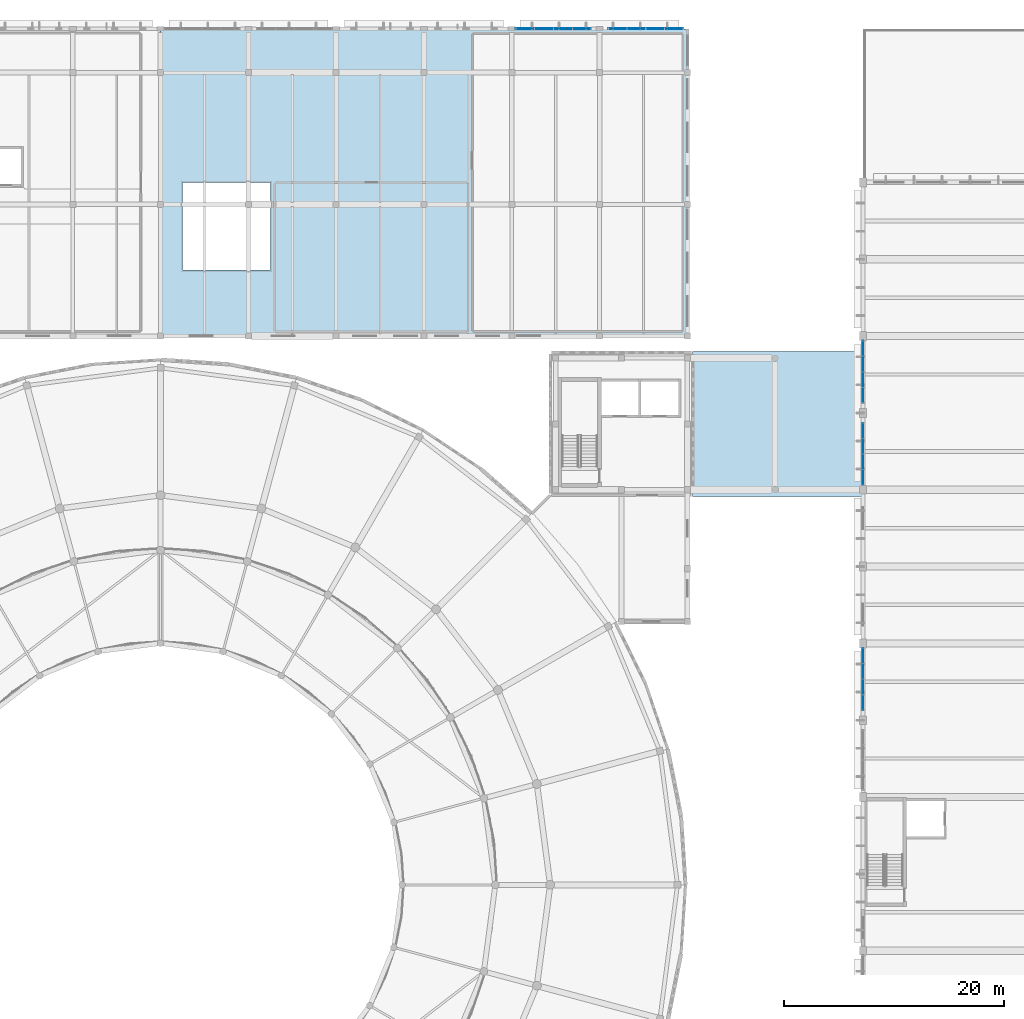
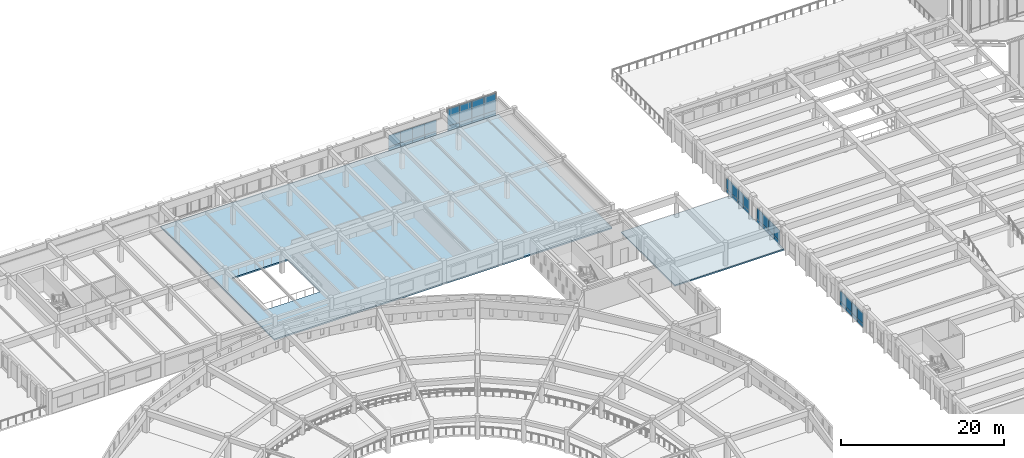
# One storey, part 76 of 155: 40 plates, 2 slabs, 5 elements without a shape of their own.
"""IFC4 building model written with IfcOpenShell, lengths in metres."""

import ifcopenshell
import ifcopenshell.guid

model = None  # the IFC model being written
_history = None  # IfcOwnerHistory: only IFC2X3 demands one
_inside = {}  # id of a spatial element -> (the spatial element, [elements in it])
_under = {}  # id of a project, library or spatial element -> (it, [spatial elements below it])
_declared = {}  # id of a project -> (the project, [libraries it declares])
_typed = {}  # id of a type object -> (the type object, [elements of that type])
_made_of = {}  # id of a material, layer set ... -> (it, [elements and type objects made of it])


def new_model(schema):
    """Start an empty IFC model of exactly this schema.

    Asked for "IFC4X3", IfcOpenShell would pick the latest addendum, in which some entities
    have other attributes; the version numbers below select the first issue.
    IFC2X3 requires an IfcOwnerHistory on every rooted entity: one is made here for all.
    """
    global model, _history
    if schema == "IFC4X3":
        model = ifcopenshell.file(schema_version=(4, 3, 0, 0))
    else:
        model = ifcopenshell.file(schema=schema)
    _inside.clear()
    _under.clear()
    _declared.clear()
    _typed.clear()
    _made_of.clear()
    _history = None
    if model.schema == "IFC2X3":
        org = make("IfcOrganization", Name="unknown")
        user = make(
            "IfcPersonAndOrganization",
            ThePerson=make("IfcPerson", FamilyName="unknown"),
            TheOrganization=org,
        )
        app = make(
            "IfcApplication",
            ApplicationDeveloper=org,
            Version="unknown",
            ApplicationFullName="unknown",
            ApplicationIdentifier="unknown",
        )
        _history = make(
            "IfcOwnerHistory",
            OwningUser=user,
            OwningApplication=app,
            ChangeAction="ADDED",
            CreationDate=0,
        )
    return model


def make(cls, **values):
    """One entity of the class cls with the attributes given. An attribute that is None is left unset."""
    return model.create_entity(
        cls, **{name: value for name, value in values.items() if value is not None}
    )


def rooted(cls, **values):
    """An entity with a GlobalId (a new one), such as an element, a storey or a relation."""
    return make(cls, GlobalId=ifcopenshell.guid.new(), OwnerHistory=_history, **values)


def si_unit(unit_type, name, prefix=None):
    """IfcSIUnit, for example si_unit("LENGTHUNIT", "METRE", prefix="MILLI")."""
    return make("IfcSIUnit", UnitType=unit_type, Prefix=prefix, Name=name)


def assignment(units):
    """IfcUnitAssignment: the units of a project."""
    return None if units is None else make("IfcUnitAssignment", Units=units)


def point(xyz):
    """IfcCartesianPoint."""
    return None if xyz is None else make("IfcCartesianPoint", Coordinates=xyz)


def direction(xyz):
    """IfcDirection."""
    return None if xyz is None else make("IfcDirection", DirectionRatios=xyz)


def frame(location, z_axis=None, x_axis=None):
    """IfcAxis2Placement3D, a coordinate frame: its origin and axes. An axis left out is left unset."""
    return make(
        "IfcAxis2Placement3D",
        Location=point(location),
        Axis=direction(z_axis),
        RefDirection=direction(x_axis),
    )


def frame_2d(location, x_axis=None):
    """IfcAxis2Placement2D, a coordinate frame in the plane: its origin and x axis."""
    return make(
        "IfcAxis2Placement2D", Location=point(location), RefDirection=direction(x_axis)
    )


def origin():
    """The frame at (0, 0, 0) with its axes left unset."""
    return frame((0.0, 0.0, 0.0))


def origin_2d():
    """The frame at (0, 0) in the plane with its x axis left unset."""
    return frame_2d((0.0, 0.0))


def place(relative_to, where):
    """IfcLocalPlacement: puts the frame where relative to a parent placement (None: the world)."""
    return make(
        "IfcLocalPlacement", PlacementRelTo=relative_to, RelativePlacement=where
    )


def context(
    kind, dimensions, precision=None, world=None, true_north=None, identifier=None
):
    """IfcGeometricRepresentationContext, for example the 3D "Model" context."""
    return make(
        "IfcGeometricRepresentationContext",
        ContextIdentifier=identifier,
        ContextType=kind,
        CoordinateSpaceDimension=dimensions,
        Precision=precision,
        WorldCoordinateSystem=world,
        TrueNorth=true_north,
    )


def subcontext(parent, identifier, kind, view, scale=None):
    """IfcGeometricRepresentationSubContext, for example "Body" below "Model"."""
    return make(
        "IfcGeometricRepresentationSubContext",
        ContextIdentifier=identifier,
        ContextType=kind,
        ParentContext=parent,
        TargetScale=scale,
        TargetView=view,
    )


def project(units=None, contexts=None):
    """IfcProject with its units and contexts."""
    return rooted(
        "IfcProject",
        Name="project",
        RepresentationContexts=contexts,
        UnitsInContext=assignment(units),
    )


def spatial(cls, under=None, at=None, **own):
    """A site, building, storey or space (cls), placed at a placement, below another one or the project."""
    s = rooted(cls, ObjectPlacement=at, **own)
    if under is not None:
        _under.setdefault(under.id(), (under, []))[1].append(s)
    return s


def polyline(points):
    """IfcPolyline through the points."""
    return make("IfcPolyline", Points=[point(p) for p in points])


def profile(cls, at=None, kind="AREA", **sizes):
    """A parametric profile (cls). Its sizes go by their IFC names, for example OverallWidth=200.0."""
    return make(cls, ProfileType=kind, Position=at, **sizes)


def rectangle(**sizes):
    """IfcRectangleProfileDef."""
    return profile("IfcRectangleProfileDef", **sizes)


def outline(outer, holes=None, kind="AREA"):
    """IfcArbitraryClosedProfileDef: a profile drawn as a closed curve; with holes, ...WithVoids."""
    if holes is None:
        return make("IfcArbitraryClosedProfileDef", ProfileType=kind, OuterCurve=outer)
    return make(
        "IfcArbitraryProfileDefWithVoids",
        ProfileType=kind,
        OuterCurve=outer,
        InnerCurves=holes,
    )


def extrude(swept, where, along, depth):
    """IfcExtrudedAreaSolid: the profile swept, set in the frame where, extruded along a direction by depth."""
    return make(
        "IfcExtrudedAreaSolid",
        SweptArea=swept,
        Position=where,
        ExtrudedDirection=direction(along),
        Depth=depth,
    )


def shape(context_of_items, identifier, shape_type, items):
    """IfcShapeRepresentation: the items that make up one representation, for example the "Body"."""
    return make(
        "IfcShapeRepresentation",
        ContextOfItems=context_of_items,
        RepresentationIdentifier=identifier,
        RepresentationType=shape_type,
        Items=items,
    )


def material(Name=None, Category=None):
    """IfcMaterial."""
    return make("IfcMaterial", Name=Name, Category=Category)


def layer(
    of_material, thickness, ventilated=None, Name=None, Category=None, Priority=None
):
    """IfcMaterialLayer: one layer of a wall or slab, of a material (None: an air gap)."""
    return make(
        "IfcMaterialLayer",
        Material=of_material,
        LayerThickness=thickness,
        IsVentilated=ventilated,
        Name=Name,
        Category=Category,
        Priority=Priority,
    )


def layer_set(layers, Name=None):
    """IfcMaterialLayerSet."""
    return make("IfcMaterialLayerSet", MaterialLayers=layers, LayerSetName=Name)


def made_of(thing, what):
    """Note that an element or type object is made of a material, layer set ...; save() writes the relation."""
    if what is not None:
        _made_of.setdefault(what.id(), (what, []))[1].append(thing)
    return thing


def type_object(cls, material=None, **own):
    """A type object (cls), such as IfcWallType, which elements share."""
    return made_of(rooted(cls, **own), material)


def element(
    cls,
    number,
    at=None,
    inside=None,
    cuts=None,
    type_object=None,
    material=None,
    context=None,
    identifier="Body",
    shape_type=None,
    held_by="IfcProductDefinitionShape",
    body=None,
    shapes=None,
    **own,
):
    """One element of the class cls, such as IfcWall. Its Tag is "e" and its number.

    at: its placement. inside: the storey or other place that contains it. cuts: it is an
    opening in that element (IfcRelVoidsElement). A single representation is given by context,
    identifier, shape_type and body (its items); several are given by shapes. held_by: the class
    of the entity that holds the representations. save() writes the other relations.
    """
    e = rooted(cls, Tag="e%d" % number, ObjectPlacement=at, **own)
    if body is not None:
        shapes = [shape(context, identifier, shape_type, body)]
    if shapes is not None:
        e.Representation = make(held_by, Representations=shapes)
    if inside is not None:
        _inside.setdefault(inside.id(), (inside, []))[1].append(e)
    if cuts is not None:
        rooted(
            "IfcRelVoidsElement", RelatingBuildingElement=cuts, RelatedOpeningElement=e
        )
    if type_object is not None:
        _typed.setdefault(type_object.id(), (type_object, []))[1].append(e)
    return made_of(e, material)


def aggregate(whole, parts):
    """IfcRelAggregates: a whole, such as a stair, and the parts it consists of."""
    return rooted("IfcRelAggregates", RelatingObject=whole, RelatedObjects=parts)


def save(model, path):
    """Write the relations noted so far, then the file.

    IfcRelAggregates (storeys below a building ...), IfcRelContainedInSpatialStructure (elements
    in a storey), IfcRelDefinesByType, IfcRelAssociatesMaterial and IfcRelDeclares: one each for
    every whole, place, type object, material and project.
    """
    for whole, parts in _under.values():
        aggregate(whole, parts)
    for where, things in _inside.values():
        rooted(
            "IfcRelContainedInSpatialStructure",
            RelatedElements=things,
            RelatingStructure=where,
        )
    for kind, things in _typed.values():
        rooted("IfcRelDefinesByType", RelatedObjects=things, RelatingType=kind)
    for what, things in _made_of.values():
        rooted("IfcRelAssociatesMaterial", RelatedObjects=things, RelatingMaterial=what)
    for by, libraries in _declared.values():
        rooted("IfcRelDeclares", RelatingContext=by, RelatedDefinitions=libraries)
    model.write(path)


model = new_model("IFC4")

# Units and contexts
model_context = context("Model", 3, precision=1e-05, world=origin(), true_north=direction((0.0, 1.0)))
body_context = subcontext(model_context, "Body", "Model", "MODEL_VIEW")
ifc_project = project(units=[si_unit("LENGTHUNIT", "METRE"), si_unit("AREAUNIT", "SQUARE_METRE"), si_unit("VOLUMEUNIT", "CUBIC_METRE"), si_unit("PLANEANGLEUNIT", "RADIAN"), si_unit("MASSUNIT", "GRAM", prefix="KILO")], contexts=[model_context])

# Site, building, storey
site_placement = place(None, origin())
site = spatial("IfcSite", under=ifc_project, at=site_placement, CompositionType="ELEMENT")
building_placement = place(site_placement, origin())
building = spatial("IfcBuilding", under=site, at=building_placement, Name="Larkveld Mobility Hub", CompositionType="ELEMENT")
storey_placement = place(building_placement, frame((0.0, 0.0, 8.39990234375)))
storey = spatial("IfcBuildingStorey", under=building, at=storey_placement, Name="L02", CompositionType="ELEMENT", Elevation=8.39990234375)

# Curtain wall, plates
ifc_material_1 = material(Name="Anodised aluminium 6063-T6", Category="aluminium")
curtain_wall_type_1 = type_object("IfcCurtainWallType", Name="CW-SYS-01", PredefinedType="NOTDEFINED", material=ifc_material_1)
curtain_wall_1_placement = place(storey_placement, origin())
curtain_wall_1 = element("IfcCurtainWall", 1, at=curtain_wall_1_placement, inside=storey, type_object=curtain_wall_type_1, Name="Bicycle Hall North Curtain Wall L02 CW-085", PredefinedType="NOTDEFINED")
ifc_material_2 = material(Name="Low-E laminated solar-control double glazing", Category="glass")
ifc_layer_1 = layer(ifc_material_2, 0.028076171875, Name="Low-E laminated solar-control double glazing", Category="glass")
ifc_layer_set_1 = layer_set([ifc_layer_1], Name="Low-E laminated solar-control double glazing")
plate_type_1 = type_object("IfcPlateType", Name="CW-PNL-GL01", PredefinedType="CURTAIN_PANEL", material=ifc_layer_set_1)
plate_1_placement = place(storey_placement, frame((94.779052734375, 126.0, 0.75), z_axis=(0.0, 0.0, 1.0), x_axis=(-1.0, 0.0, 0.0)))
plate_1 = element("IfcPlate", 2, at=plate_1_placement, type_object=plate_type_1, Name="CW01 panel 1", PredefinedType="CURTAIN_PANEL", context=body_context, shape_type="SweptSolid", body=[
    extrude(rectangle(XDim=1.69091796875, YDim=0.028076171875, at=origin_2d()), origin(), (0.0, 0.0, 1.0), 2.577880859375),
])
plate_2_placement = place(storey_placement, frame((93.069091796875, 126.0, 0.75), z_axis=(0.0, 0.0, 1.0), x_axis=(-1.0, 0.0, 0.0)))
plate_2 = element("IfcPlate", 3, at=plate_2_placement, type_object=plate_type_1, Name="CW01 panel 2", PredefinedType="CURTAIN_PANEL", context=body_context, shape_type="SweptSolid", body=[
    extrude(rectangle(XDim=1.7109375, YDim=0.028076171875, at=origin_2d()), origin(), (0.0, 0.0, 1.0), 2.577880859375),
])
plate_3_placement = place(storey_placement, frame((91.346923828125, 126.0, 0.75), z_axis=(0.0, 0.0, 1.0), x_axis=(-1.0, 0.0, 0.0)))
plate_3 = element("IfcPlate", 4, at=plate_3_placement, type_object=plate_type_1, Name="CW01 panel 3", PredefinedType="CURTAIN_PANEL", context=body_context, shape_type="SweptSolid", body=[
    extrude(rectangle(XDim=1.7109375, YDim=0.028076171875, at=origin_2d()), origin(), (0.0, 0.0, 1.0), 2.577880859375),
])
plate_4_placement = place(storey_placement, frame((89.635986328125, 126.0, 0.75), z_axis=(0.0, 0.0, 1.0), x_axis=(-1.0, 0.0, 0.0)))
plate_4 = element("IfcPlate", 5, at=plate_4_placement, type_object=plate_type_1, Name="CW01 panel 4", PredefinedType="CURTAIN_PANEL", context=body_context, shape_type="SweptSolid", body=[
    extrude(rectangle(XDim=1.69091796875, YDim=0.028076171875, at=origin_2d()), origin(), (0.0, 0.0, 1.0), 2.577880859375),
])

curtain_wall_type_2 = type_object("IfcCurtainWallType", Name="CW-SYS-07", PredefinedType="NOTDEFINED", material=ifc_material_1)
curtain_wall_2_placement = place(storey_placement, origin())
curtain_wall_2 = element("IfcCurtainWall", 6, at=curtain_wall_2_placement, inside=storey, type_object=curtain_wall_type_2, Name="EV Wing West Glazing L02 CW-139", PredefinedType="NOTDEFINED")
plate_5_placement = place(storey_placement, frame((112.0, 96.868896484375, 0.552001953125), z_axis=(0.0, 0.0, 1.0), x_axis=(0.0, -1.0, 0.0)))
plate_5 = element("IfcPlate", 7, at=plate_5_placement, type_object=plate_type_1, Name="CW07 panel 1", PredefinedType="CURTAIN_PANEL", context=body_context, shape_type="SweptSolid", body=[
    extrude(rectangle(XDim=1.39306640625, YDim=0.028076171875, at=origin_2d()), origin(), (0.0, 0.0, 1.0), 1.6259765625),
])
plate_6_placement = place(storey_placement, frame((112.0, 95.45703125, 0.552001953125), z_axis=(0.0, 0.0, 1.0), x_axis=(0.0, -1.0, 0.0)))
plate_6 = element("IfcPlate", 8, at=plate_6_placement, type_object=plate_type_1, Name="CW07 panel 2", PredefinedType="CURTAIN_PANEL", context=body_context, shape_type="SweptSolid", body=[
    extrude(rectangle(XDim=1.4130859375, YDim=0.028076171875, at=origin_2d()), origin(), (0.0, 0.0, 1.0), 1.6259765625),
])
plate_7_placement = place(storey_placement, frame((112.0, 94.033935546875, 0.552001953125), z_axis=(0.0, 0.0, 1.0), x_axis=(0.0, -1.0, 0.0)))
plate_7 = element("IfcPlate", 9, at=plate_7_placement, type_object=plate_type_1, Name="CW07 panel 3", PredefinedType="CURTAIN_PANEL", context=body_context, shape_type="SweptSolid", body=[
    extrude(rectangle(XDim=1.4130859375, YDim=0.028076171875, at=origin_2d()), origin(), (0.0, 0.0, 1.0), 1.6259765625),
])
plate_8_placement = place(storey_placement, frame((112.0, 92.62109375, 0.552001953125), z_axis=(0.0, 0.0, 1.0), x_axis=(0.0, -1.0, 0.0)))
plate_8 = element("IfcPlate", 10, at=plate_8_placement, type_object=plate_type_1, Name="CW07 panel 4", PredefinedType="CURTAIN_PANEL", context=body_context, shape_type="SweptSolid", body=[
    extrude(rectangle(XDim=1.39306640625, YDim=0.028076171875, at=origin_2d()), origin(), (0.0, 0.0, 1.0), 1.6259765625),
])

curtain_wall_type_3 = type_object("IfcCurtainWallType", Name="CW-SYS-02", PredefinedType="NOTDEFINED", material=ifc_material_1)
curtain_wall_3_placement = place(storey_placement, origin())
curtain_wall_3 = element("IfcCurtainWall", 11, at=curtain_wall_3_placement, inside=storey, type_object=curtain_wall_type_3, Name="Bicycle Hall North Curtain Wall L02 CW-086", PredefinedType="NOTDEFINED")
ifc_material_3 = material(Name="Acoustic solar-control laminated double glazing", Category="glass")
ifc_layer_2 = layer(ifc_material_3, 0.031982421875, Name="Acoustic solar-control laminated double glazing", Category="glass")
ifc_layer_set_2 = layer_set([ifc_layer_2], Name="Acoustic solar-control laminated double glazing")
plate_type_2 = type_object("IfcPlateType", Name="CW-PNL-GL02", PredefinedType="CURTAIN_PANEL", material=ifc_layer_set_2)
plate_9_placement = place(storey_placement, frame((86.364013671875, 126.0, 0.57763671875), z_axis=(0.0, 0.0, 1.0), x_axis=(-1.0, 0.0, 0.0)))
plate_9 = element("IfcPlate", 12, at=plate_9_placement, type_object=plate_type_2, Name="CW02 panel 1", PredefinedType="CURTAIN_PANEL", context=body_context, shape_type="SweptSolid", body=[
    extrude(rectangle(XDim=1.69091796875, YDim=0.031982421875, at=origin_2d()), origin(), (0.0, 0.0, 1.0), 1.700927734375),
])
plate_10_placement = place(storey_placement, frame((84.654052734375, 126.0, 0.57763671875), z_axis=(0.0, 0.0, 1.0), x_axis=(-1.0, 0.0, 0.0)))
plate_10 = element("IfcPlate", 13, at=plate_10_placement, type_object=plate_type_2, Name="CW02 panel 2", PredefinedType="CURTAIN_PANEL", context=body_context, shape_type="SweptSolid", body=[
    extrude(rectangle(XDim=1.7109375, YDim=0.031982421875, at=origin_2d()), origin(), (0.0, 0.0, 1.0), 1.700927734375),
])
plate_11_placement = place(storey_placement, frame((82.931884765625, 126.0, 0.57763671875), z_axis=(0.0, 0.0, 1.0), x_axis=(-1.0, 0.0, 0.0)))
plate_11 = element("IfcPlate", 14, at=plate_11_placement, type_object=plate_type_2, Name="CW02 panel 3", PredefinedType="CURTAIN_PANEL", context=body_context, shape_type="SweptSolid", body=[
    extrude(rectangle(XDim=1.7109375, YDim=0.031982421875, at=origin_2d()), origin(), (0.0, 0.0, 1.0), 1.700927734375),
])
plate_12_placement = place(storey_placement, frame((81.220947265625, 126.0, 0.57763671875), z_axis=(0.0, 0.0, 1.0), x_axis=(-1.0, 0.0, 0.0)))
plate_12 = element("IfcPlate", 15, at=plate_12_placement, type_object=plate_type_2, Name="CW02 panel 4", PredefinedType="CURTAIN_PANEL", context=body_context, shape_type="SweptSolid", body=[
    extrude(rectangle(XDim=1.69091796875, YDim=0.031982421875, at=origin_2d()), origin(), (0.0, 0.0, 1.0), 1.700927734375),
])

curtain_wall_type_4 = type_object("IfcCurtainWallType", Name="CW-SYS-05", PredefinedType="NOTDEFINED", material=ifc_material_1)
curtain_wall_4_placement = place(storey_placement, origin())
curtain_wall_4 = element("IfcCurtainWall", 16, at=curtain_wall_4_placement, inside=storey, type_object=curtain_wall_type_4, Name="EV Wing West Glazing L02 CW-137", PredefinedType="NOTDEFINED")
plate_13_placement = place(storey_placement, frame((112.0, 68.868896484375, 0.552001953125), z_axis=(0.0, 0.0, 1.0), x_axis=(0.0, -1.0, 0.0)))
plate_13 = element("IfcPlate", 17, at=plate_13_placement, type_object=plate_type_2, Name="CW05 panel 1", PredefinedType="CURTAIN_PANEL", context=body_context, shape_type="SweptSolid", body=[
    extrude(rectangle(XDim=1.39208984375, YDim=0.031982421875, at=origin_2d()), origin(), (0.0, 0.0, 1.0), 1.6259765625),
])
plate_14_placement = place(storey_placement, frame((112.0, 67.45703125, 0.552001953125), z_axis=(0.0, 0.0, 1.0), x_axis=(0.0, -1.0, 0.0)))
plate_14 = element("IfcPlate", 18, at=plate_14_placement, type_object=plate_type_2, Name="CW05 panel 2", PredefinedType="CURTAIN_PANEL", context=body_context, shape_type="SweptSolid", body=[
    extrude(rectangle(XDim=1.412109375, YDim=0.031982421875, at=origin_2d()), origin(), (0.0, 0.0, 1.0), 1.6259765625),
])
plate_15_placement = place(storey_placement, frame((112.0, 66.033935546875, 0.552001953125), z_axis=(0.0, 0.0, 1.0), x_axis=(0.0, -1.0, 0.0)))
plate_15 = element("IfcPlate", 19, at=plate_15_placement, type_object=plate_type_2, Name="CW05 panel 3", PredefinedType="CURTAIN_PANEL", context=body_context, shape_type="SweptSolid", body=[
    extrude(rectangle(XDim=1.412109375, YDim=0.031982421875, at=origin_2d()), origin(), (0.0, 0.0, 1.0), 1.6259765625),
])
plate_16_placement = place(storey_placement, frame((112.0, 64.62109375, 0.552001953125), z_axis=(0.0, 0.0, 1.0), x_axis=(0.0, -1.0, 0.0)))
plate_16 = element("IfcPlate", 20, at=plate_16_placement, type_object=plate_type_2, Name="CW05 panel 4", PredefinedType="CURTAIN_PANEL", context=body_context, shape_type="SweptSolid", body=[
    extrude(rectangle(XDim=1.39208984375, YDim=0.031982421875, at=origin_2d()), origin(), (0.0, 0.0, 1.0), 1.6259765625),
])

curtain_wall_type_5 = type_object("IfcCurtainWallType", Name="CW-SYS-08", PredefinedType="NOTDEFINED", material=ifc_material_1)
curtain_wall_5_placement = place(storey_placement, origin())
curtain_wall_5 = element("IfcCurtainWall", 21, at=curtain_wall_5_placement, inside=storey, type_object=curtain_wall_type_5, Name="EV Wing West Glazing L02 CW-140", PredefinedType="NOTDEFINED")
plate_17_placement = place(storey_placement, frame((112.0, 89.37890625, 0.552001953125), z_axis=(0.0, 0.0, 1.0), x_axis=(0.0, -1.0, 0.0)))
plate_17 = element("IfcPlate", 22, at=plate_17_placement, type_object=plate_type_2, Name="CW08 panel 1", PredefinedType="CURTAIN_PANEL", context=body_context, shape_type="SweptSolid", body=[
    extrude(rectangle(XDim=1.39306640625, YDim=0.031982421875, at=origin_2d()), origin(), (0.0, 0.0, 1.0), 1.6259765625),
])
plate_18_placement = place(storey_placement, frame((112.0, 87.966064453125, 0.552001953125), z_axis=(0.0, 0.0, 1.0), x_axis=(0.0, -1.0, 0.0)))
plate_18 = element("IfcPlate", 23, at=plate_18_placement, type_object=plate_type_2, Name="CW08 panel 2", PredefinedType="CURTAIN_PANEL", context=body_context, shape_type="SweptSolid", body=[
    extrude(rectangle(XDim=1.4130859375, YDim=0.031982421875, at=origin_2d()), origin(), (0.0, 0.0, 1.0), 1.6259765625),
])
plate_19_placement = place(storey_placement, frame((112.0, 86.54296875, 0.552001953125), z_axis=(0.0, 0.0, 1.0), x_axis=(0.0, -1.0, 0.0)))
plate_19 = element("IfcPlate", 24, at=plate_19_placement, type_object=plate_type_2, Name="CW08 panel 3", PredefinedType="CURTAIN_PANEL", context=body_context, shape_type="SweptSolid", body=[
    extrude(rectangle(XDim=1.4130859375, YDim=0.031982421875, at=origin_2d()), origin(), (0.0, 0.0, 1.0), 1.6259765625),
])
plate_20_placement = place(storey_placement, frame((112.0, 85.131103515625, 0.552001953125), z_axis=(0.0, 0.0, 1.0), x_axis=(0.0, -1.0, 0.0)))
plate_20 = element("IfcPlate", 25, at=plate_20_placement, type_object=plate_type_2, Name="CW08 panel 4", PredefinedType="CURTAIN_PANEL", context=body_context, shape_type="SweptSolid", body=[
    extrude(rectangle(XDim=1.39306640625, YDim=0.031982421875, at=origin_2d()), origin(), (0.0, 0.0, 1.0), 1.6259765625),
])

# Plate
ifc_material_4 = material(Name="Insulated fluoropolymer aluminium spandrel", Category="aluminium")
ifc_layer_3 = layer(ifc_material_4, 0.06494140625, Name="Insulated fluoropolymer aluminium spandrel", Category="aluminium")
ifc_layer_set_3 = layer_set([ifc_layer_3], Name="Insulated fluoropolymer aluminium spandrel")
plate_type_3 = type_object("IfcPlateType", Name="CW-PNL-SP01", PredefinedType="CURTAIN_PANEL", material=ifc_layer_set_3)
plate_21_placement = place(storey_placement, frame((94.779052734375, 126.0, 0.0), z_axis=(0.0, 0.0, 1.0), x_axis=(-1.0, 0.0, 0.0)))
plate_21 = element("IfcPlate", 26, at=plate_21_placement, type_object=plate_type_3, Name="CW01 spandrel 1", PredefinedType="CURTAIN_PANEL", context=body_context, shape_type="SweptSolid", body=[
    extrude(rectangle(XDim=1.69091796875, YDim=0.06494140625, at=origin_2d()), origin(), (0.0, 0.0, 1.0), 0.738037109375),
])

plate_22_placement = place(storey_placement, frame((93.069091796875, 126.0, 0.0), z_axis=(0.0, 0.0, 1.0), x_axis=(-1.0, 0.0, 0.0)))
plate_22 = element("IfcPlate", 27, at=plate_22_placement, type_object=plate_type_3, Name="CW01 spandrel 2", PredefinedType="CURTAIN_PANEL", context=body_context, shape_type="SweptSolid", body=[
    extrude(rectangle(XDim=1.7109375, YDim=0.06494140625, at=origin_2d()), origin(), (0.0, 0.0, 1.0), 0.738037109375),
])

plate_23_placement = place(storey_placement, frame((91.346923828125, 126.0, 0.0), z_axis=(0.0, 0.0, 1.0), x_axis=(-1.0, 0.0, 0.0)))
plate_23 = element("IfcPlate", 28, at=plate_23_placement, type_object=plate_type_3, Name="CW01 spandrel 3", PredefinedType="CURTAIN_PANEL", context=body_context, shape_type="SweptSolid", body=[
    extrude(rectangle(XDim=1.7109375, YDim=0.06494140625, at=origin_2d()), origin(), (0.0, 0.0, 1.0), 0.738037109375),
])

plate_24_placement = place(storey_placement, frame((89.635986328125, 126.0, 0.0), z_axis=(0.0, 0.0, 1.0), x_axis=(-1.0, 0.0, 0.0)))
plate_24 = element("IfcPlate", 29, at=plate_24_placement, type_object=plate_type_3, Name="CW01 spandrel 4", PredefinedType="CURTAIN_PANEL", context=body_context, shape_type="SweptSolid", body=[
    extrude(rectangle(XDim=1.69091796875, YDim=0.06494140625, at=origin_2d()), origin(), (0.0, 0.0, 1.0), 0.738037109375),
])

aggregate(curtain_wall_1, [plate_21, plate_1, plate_22, plate_2, plate_23, plate_3, plate_24, plate_4])

plate_25_placement = place(storey_placement, frame((112.0, 68.868896484375, 0.0), z_axis=(0.0, 0.0, 1.0), x_axis=(0.0, -1.0, 0.0)))
plate_25 = element("IfcPlate", 30, at=plate_25_placement, type_object=plate_type_3, Name="CW05 spandrel 1", PredefinedType="CURTAIN_PANEL", context=body_context, shape_type="SweptSolid", body=[
    extrude(rectangle(XDim=1.39208984375, YDim=0.06494140625, at=origin_2d()), origin(), (0.0, 0.0, 1.0), 0.5400390625),
])

plate_26_placement = place(storey_placement, frame((112.0, 67.45703125, 0.0), z_axis=(0.0, 0.0, 1.0), x_axis=(0.0, -1.0, 0.0)))
plate_26 = element("IfcPlate", 31, at=plate_26_placement, type_object=plate_type_3, Name="CW05 spandrel 2", PredefinedType="CURTAIN_PANEL", context=body_context, shape_type="SweptSolid", body=[
    extrude(rectangle(XDim=1.412109375, YDim=0.06494140625, at=origin_2d()), origin(), (0.0, 0.0, 1.0), 0.5400390625),
])

plate_27_placement = place(storey_placement, frame((112.0, 66.033935546875, 0.0), z_axis=(0.0, 0.0, 1.0), x_axis=(0.0, -1.0, 0.0)))
plate_27 = element("IfcPlate", 32, at=plate_27_placement, type_object=plate_type_3, Name="CW05 spandrel 3", PredefinedType="CURTAIN_PANEL", context=body_context, shape_type="SweptSolid", body=[
    extrude(rectangle(XDim=1.412109375, YDim=0.06494140625, at=origin_2d()), origin(), (0.0, 0.0, 1.0), 0.5400390625),
])

plate_28_placement = place(storey_placement, frame((112.0, 64.62109375, 0.0), z_axis=(0.0, 0.0, 1.0), x_axis=(0.0, -1.0, 0.0)))
plate_28 = element("IfcPlate", 33, at=plate_28_placement, type_object=plate_type_3, Name="CW05 spandrel 4", PredefinedType="CURTAIN_PANEL", context=body_context, shape_type="SweptSolid", body=[
    extrude(rectangle(XDim=1.39208984375, YDim=0.06494140625, at=origin_2d()), origin(), (0.0, 0.0, 1.0), 0.5400390625),
])

aggregate(curtain_wall_4, [plate_25, plate_13, plate_26, plate_14, plate_27, plate_15, plate_28, plate_16])

plate_29_placement = place(storey_placement, frame((112.0, 96.868896484375, 0.0), z_axis=(0.0, 0.0, 1.0), x_axis=(0.0, -1.0, 0.0)))
plate_29 = element("IfcPlate", 34, at=plate_29_placement, type_object=plate_type_3, Name="CW07 spandrel 1", PredefinedType="CURTAIN_PANEL", context=body_context, shape_type="SweptSolid", body=[
    extrude(rectangle(XDim=1.39306640625, YDim=0.06494140625, at=origin_2d()), origin(), (0.0, 0.0, 1.0), 0.5400390625),
])

plate_30_placement = place(storey_placement, frame((112.0, 95.45703125, 0.0), z_axis=(0.0, 0.0, 1.0), x_axis=(0.0, -1.0, 0.0)))
plate_30 = element("IfcPlate", 35, at=plate_30_placement, type_object=plate_type_3, Name="CW07 spandrel 2", PredefinedType="CURTAIN_PANEL", context=body_context, shape_type="SweptSolid", body=[
    extrude(rectangle(XDim=1.4130859375, YDim=0.06494140625, at=origin_2d()), origin(), (0.0, 0.0, 1.0), 0.5400390625),
])

plate_31_placement = place(storey_placement, frame((112.0, 94.033935546875, 0.0), z_axis=(0.0, 0.0, 1.0), x_axis=(0.0, -1.0, 0.0)))
plate_31 = element("IfcPlate", 36, at=plate_31_placement, type_object=plate_type_3, Name="CW07 spandrel 3", PredefinedType="CURTAIN_PANEL", context=body_context, shape_type="SweptSolid", body=[
    extrude(rectangle(XDim=1.4130859375, YDim=0.06494140625, at=origin_2d()), origin(), (0.0, 0.0, 1.0), 0.5400390625),
])

plate_32_placement = place(storey_placement, frame((112.0, 92.62109375, 0.0), z_axis=(0.0, 0.0, 1.0), x_axis=(0.0, -1.0, 0.0)))
plate_32 = element("IfcPlate", 37, at=plate_32_placement, type_object=plate_type_3, Name="CW07 spandrel 4", PredefinedType="CURTAIN_PANEL", context=body_context, shape_type="SweptSolid", body=[
    extrude(rectangle(XDim=1.39306640625, YDim=0.06494140625, at=origin_2d()), origin(), (0.0, 0.0, 1.0), 0.5400390625),
])

aggregate(curtain_wall_2, [plate_29, plate_5, plate_30, plate_6, plate_31, plate_7, plate_32, plate_8])

ifc_material_5 = material(Name="Insulated terracotta-toned aluminium spandrel", Category="masonry")
ifc_layer_4 = layer(ifc_material_5, 0.080078125, Name="Insulated terracotta-toned aluminium spandrel", Category="masonry")
ifc_layer_set_4 = layer_set([ifc_layer_4], Name="Insulated terracotta-toned aluminium spandrel")
plate_type_4 = type_object("IfcPlateType", Name="CW-PNL-SP02", PredefinedType="CURTAIN_PANEL", material=ifc_layer_set_4)
plate_33_placement = place(storey_placement, frame((86.364013671875, 126.0, 0.000732421875), z_axis=(0.0, 0.0, 1.0), x_axis=(-1.0, 0.0, 0.0)))
plate_33 = element("IfcPlate", 38, at=plate_33_placement, type_object=plate_type_4, Name="CW02 spandrel 1", PredefinedType="CURTAIN_PANEL", context=body_context, shape_type="SweptSolid", body=[
    extrude(rectangle(XDim=1.69091796875, YDim=0.080078125, at=origin_2d()), origin(), (0.0, 0.0, 1.0), 0.56494140625),
])

plate_34_placement = place(storey_placement, frame((84.654052734375, 126.0, 0.000732421875), z_axis=(0.0, 0.0, 1.0), x_axis=(-1.0, 0.0, 0.0)))
plate_34 = element("IfcPlate", 39, at=plate_34_placement, type_object=plate_type_4, Name="CW02 spandrel 2", PredefinedType="CURTAIN_PANEL", context=body_context, shape_type="SweptSolid", body=[
    extrude(rectangle(XDim=1.7109375, YDim=0.080078125, at=origin_2d()), origin(), (0.0, 0.0, 1.0), 0.56494140625),
])

plate_35_placement = place(storey_placement, frame((82.931884765625, 126.0, 0.000732421875), z_axis=(0.0, 0.0, 1.0), x_axis=(-1.0, 0.0, 0.0)))
plate_35 = element("IfcPlate", 40, at=plate_35_placement, type_object=plate_type_4, Name="CW02 spandrel 3", PredefinedType="CURTAIN_PANEL", context=body_context, shape_type="SweptSolid", body=[
    extrude(rectangle(XDim=1.7109375, YDim=0.080078125, at=origin_2d()), origin(), (0.0, 0.0, 1.0), 0.56494140625),
])

plate_36_placement = place(storey_placement, frame((81.220947265625, 126.0, 0.000732421875), z_axis=(0.0, 0.0, 1.0), x_axis=(-1.0, 0.0, 0.0)))
plate_36 = element("IfcPlate", 41, at=plate_36_placement, type_object=plate_type_4, Name="CW02 spandrel 4", PredefinedType="CURTAIN_PANEL", context=body_context, shape_type="SweptSolid", body=[
    extrude(rectangle(XDim=1.69091796875, YDim=0.080078125, at=origin_2d()), origin(), (0.0, 0.0, 1.0), 0.56494140625),
])

aggregate(curtain_wall_3, [plate_33, plate_9, plate_34, plate_10, plate_35, plate_11, plate_36, plate_12])

plate_37_placement = place(storey_placement, frame((112.0, 89.37890625, 0.0), z_axis=(0.0, 0.0, 1.0), x_axis=(0.0, -1.0, 0.0)))
plate_37 = element("IfcPlate", 42, at=plate_37_placement, type_object=plate_type_4, Name="CW08 spandrel 1", PredefinedType="CURTAIN_PANEL", context=body_context, shape_type="SweptSolid", body=[
    extrude(rectangle(XDim=1.39306640625, YDim=0.080078125, at=origin_2d()), origin(), (0.0, 0.0, 1.0), 0.5400390625),
])

plate_38_placement = place(storey_placement, frame((112.0, 87.966064453125, 0.0), z_axis=(0.0, 0.0, 1.0), x_axis=(0.0, -1.0, 0.0)))
plate_38 = element("IfcPlate", 43, at=plate_38_placement, type_object=plate_type_4, Name="CW08 spandrel 2", PredefinedType="CURTAIN_PANEL", context=body_context, shape_type="SweptSolid", body=[
    extrude(rectangle(XDim=1.4130859375, YDim=0.080078125, at=origin_2d()), origin(), (0.0, 0.0, 1.0), 0.5400390625),
])

plate_39_placement = place(storey_placement, frame((112.0, 86.54296875, 0.0), z_axis=(0.0, 0.0, 1.0), x_axis=(0.0, -1.0, 0.0)))
plate_39 = element("IfcPlate", 44, at=plate_39_placement, type_object=plate_type_4, Name="CW08 spandrel 3", PredefinedType="CURTAIN_PANEL", context=body_context, shape_type="SweptSolid", body=[
    extrude(rectangle(XDim=1.4130859375, YDim=0.080078125, at=origin_2d()), origin(), (0.0, 0.0, 1.0), 0.5400390625),
])

plate_40_placement = place(storey_placement, frame((112.0, 85.131103515625, 0.0), z_axis=(0.0, 0.0, 1.0), x_axis=(0.0, -1.0, 0.0)))
plate_40 = element("IfcPlate", 45, at=plate_40_placement, type_object=plate_type_4, Name="CW08 spandrel 4", PredefinedType="CURTAIN_PANEL", context=body_context, shape_type="SweptSolid", body=[
    extrude(rectangle(XDim=1.39306640625, YDim=0.080078125, at=origin_2d()), origin(), (0.0, 0.0, 1.0), 0.5400390625),
])

aggregate(curtain_wall_5, [plate_37, plate_17, plate_38, plate_18, plate_39, plate_19, plate_40, plate_20])

# Slabs
ifc_material_6 = material(Name="Concrete C40/50", Category="concrete")
ifc_layer_5 = layer(ifc_material_6, 0.221923828125, Name="Concrete C40/50", Category="concrete")
ifc_layer_set_5 = layer_set([ifc_layer_5], Name="Concrete C40/50")
slab_type_1 = type_object("IfcSlabType", Name="SL-FLR-222", PredefinedType="FLOOR", material=ifc_layer_set_5)
slab_1_placement = place(storey_placement, frame((0.0, 0.0, -0.221923828125)))
element("IfcSlab", 46, at=slab_1_placement, inside=storey, type_object=slab_type_1, Name="Bicycle Hall Floor Slab L02-104", PredefinedType="FLOOR", context=body_context, shape_type="SweptSolid", body=[
    extrude(outline(polyline([(48.0, 98.0), (96.0, 98.0), (96.0, 126.0), (48.0, 126.0), (48.0, 98.0)]), holes=[polyline([(50.0, 104.0), (50.0, 112.0), (58.0, 112.0), (58.0, 104.0), (50.0, 104.0)])]), origin(), (0.0, 0.0, 1.0), 0.221923828125),
])
ifc_layer_6 = layer(ifc_material_6, 0.205078125, Name="Concrete C40/50", Category="concrete")
ifc_layer_set_6 = layer_set([ifc_layer_6], Name="Concrete C40/50")
slab_type_2 = type_object("IfcSlabType", Name="SL-RF-FLT205", PredefinedType="ROOF", material=ifc_layer_set_6)
slab_2_placement = place(storey_placement, frame((0.0, 0.0, -0.204833984375)))
element("IfcSlab", 47, at=slab_2_placement, inside=storey, type_object=slab_type_2, Name="Concourse Footbridge L01 Canopy Roof L02-094", PredefinedType="ROOF", context=body_context, shape_type="SweptSolid", body=[
    extrude(outline(polyline([(96.47998046875, 83.39990234375), (112.0, 83.39990234375), (112.0, 96.60009765625), (96.47998046875, 96.60009765625), (96.47998046875, 83.39990234375)])), origin(), (0.0, 0.0, 1.0), 0.204833984375),
])

save(model, "model.ifc")
